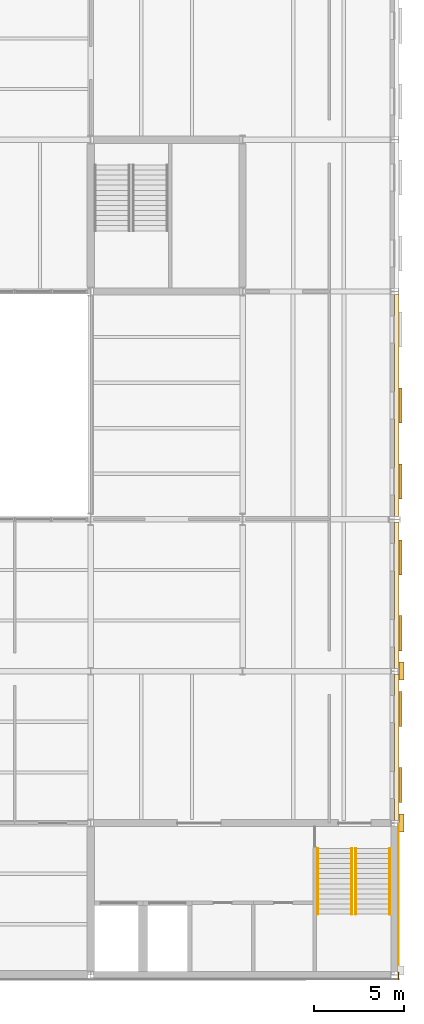
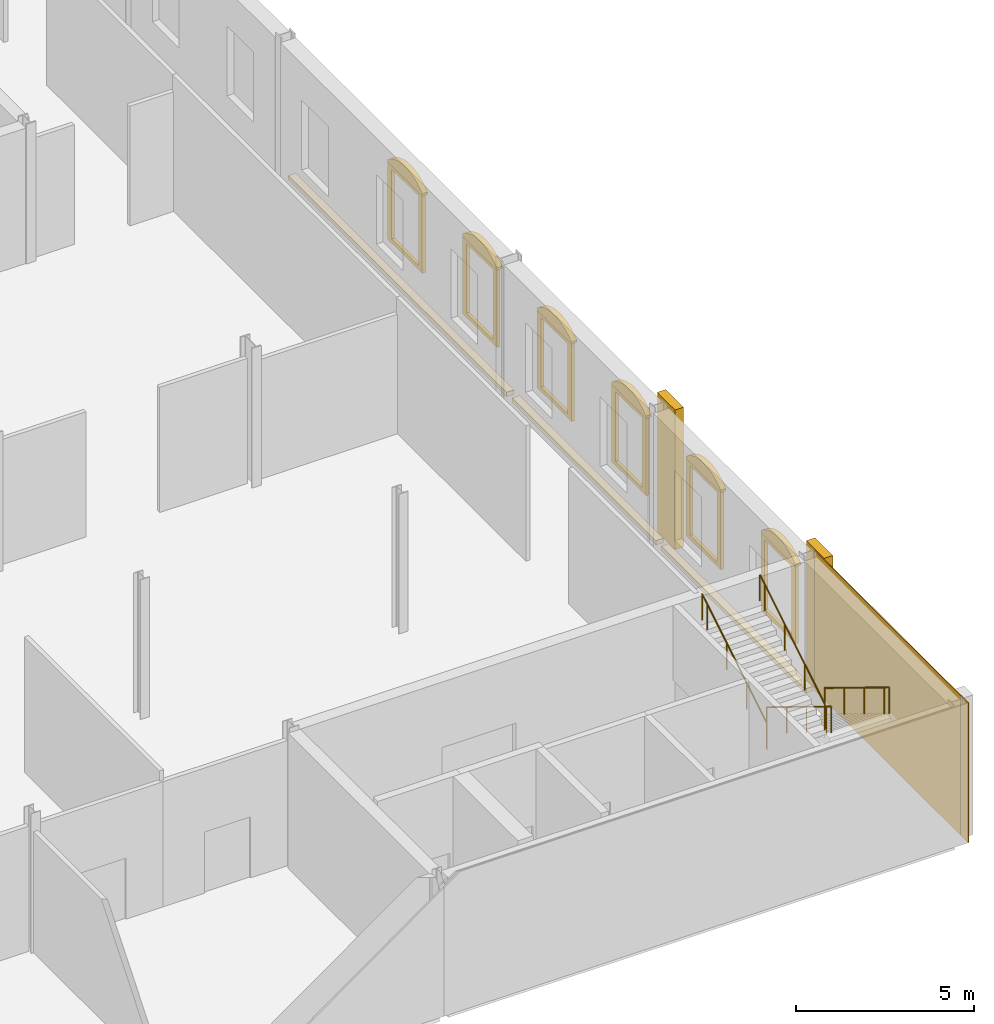
# One storey, part 49 of 57: 19 coverings, 4 railings.
"""IFC4 building model written with IfcOpenShell, lengths in metres."""

from ifc_helpers import new_model, si_unit, direction, frame, origin, origin_2d, place, context, subcontext, project, spatial, polyline, rectangle, circle, outline, extrude, material, layer, layer_set, type_object, element, save


model = new_model("IFC4")

# Units and contexts
model_context = context("Model", 3, precision=1e-05, world=origin(), true_north=direction((0.0, 1.0)))
body_context = subcontext(model_context, "Body", "Model", "MODEL_VIEW")
ifc_project = project(units=[si_unit("LENGTHUNIT", "METRE"), si_unit("AREAUNIT", "SQUARE_METRE"), si_unit("VOLUMEUNIT", "CUBIC_METRE"), si_unit("PLANEANGLEUNIT", "RADIAN"), si_unit("MASSUNIT", "GRAM", prefix="KILO")], contexts=[model_context])

# Site, building, storey
site_placement = place(None, origin())
site = spatial("IfcSite", under=ifc_project, at=site_placement, CompositionType="ELEMENT")
building_placement = place(site_placement, origin())
building = spatial("IfcBuilding", under=site, at=building_placement, Name="Galleria Vessillo Department Store", CompositionType="ELEMENT")
storey_placement = place(building_placement, frame((0.0, 0.0, 21.0)))
storey = spatial("IfcBuildingStorey", under=building, at=storey_placement, Name="L04", CompositionType="ELEMENT", Elevation=21.0)

# Coverings
ifc_material_1 = material(Name="Lime plaster (intonaco) ochre")
ifc_layer_1 = layer(ifc_material_1, 0.030029296875)
ifc_layer_set_1 = layer_set([ifc_layer_1], Name="Lime plaster (intonaco) ochre")
covering_type_1 = type_object("IfcCoveringType", Name="Lime plaster render 30 mm", PredefinedType="CLADDING", material=ifc_layer_set_1)
covering_1_placement = place(storey_placement, frame((117.81494140625, -0.06494140625, 0.0), z_axis=(0.0, 0.0, 1.0), x_axis=(1.0, 0.0, 0.0)))
element("IfcCovering", 1, at=covering_1_placement, inside=storey, type_object=covering_type_1, Name="Corner cladding L04 y=0 east face", PredefinedType="CLADDING", context=body_context, shape_type="SweptSolid", body=[
    extrude(rectangle(XDim=0.030029296875, YDim=0.429931640625, at=origin_2d()), origin(), (0.0, 0.0, 1.0), 4.800048828125),
])
ifc_material_2 = material(Name="Botticino limestone ashlar", Category="masonry")
ifc_layer_2 = layer(ifc_material_2, 0.280029296875)
ifc_layer_set_2 = layer_set([ifc_layer_2], Name="Botticino limestone ashlar")
covering_type_2 = type_object("IfcCoveringType", Name="Limestone giant pilaster 1000 x 280", PredefinedType="CLADDING", material=ifc_layer_set_2)
for number, where, z_axis, x_axis, name in (
    (2, (117.989990234375, 8.39990234375, 0.0), (0.0, 0.0, 1.0), (1.0, 0.0, 0.0), "Giant pilaster E L04 y=8.4"),
    (3, (117.989990234375, 16.800048828125, 0.0), (0.0, 0.0, 1.0), (1.0, 0.0, 0.0), "Giant pilaster E L04 y=16.8"),
):
    element("IfcCovering", number, at=place(storey_placement, frame(where, z_axis=z_axis, x_axis=x_axis)), inside=storey, type_object=covering_type_2, Name=name, PredefinedType="CLADDING", context=body_context, shape_type="SweptSolid", body=[
        extrude(rectangle(XDim=0.280029296875, YDim=1.0, at=origin_2d()), origin(), (0.0, 0.0, 1.0), 4.800048828125),
    ])
ifc_material_3 = material(Name="Botticino limestone ashlar", Category="masonry")
ifc_layer_3 = layer(ifc_material_3, 0.179931640625)
ifc_layer_set_3 = layer_set([ifc_layer_3], Name="Botticino limestone ashlar")
covering_type_3 = type_object("IfcCoveringType", Name="Limestone segmental window pediment 180 mm", PredefinedType="USERDEFINED", material=ifc_layer_set_3)
covering_2_placement = place(storey_placement, frame((117.85009765625, 0.0, 1.0), z_axis=(1.0, 0.0, 0.0), x_axis=(0.0, 1.0, 0.0)))
element("IfcCovering", 4, at=covering_2_placement, inside=storey, type_object=covering_type_3, Name="Segmental pediment W054", ObjectType="SEGMENTAL WINDOW PEDIMENT", PredefinedType="USERDEFINED", context=body_context, shape_type="SweptSolid", body=[
    extrude(outline(polyline([(9.530029296875, 2.52001953125), (11.469970703125, 2.52001953125), (11.469970703125, 2.60009765625), (11.308349609375, 2.717041015625), (11.146728515625, 2.805419921875), (10.985107421875, 2.87060546875), (10.8232421875, 2.915283203125), (10.66162109375, 2.94140625), (10.5, 2.949951171875), (10.33837890625, 2.94140625), (10.1767578125, 2.915283203125), (10.014892578125, 2.87060546875), (9.853271484375, 2.805419921875), (9.691650390625, 2.717041015625), (9.530029296875, 2.60009765625), (9.530029296875, 2.52001953125)])), origin(), (0.0, 0.0, 1.0), 0.179931640625),
])
covering_3_placement = place(storey_placement, frame((117.85009765625, 0.0, 1.0), z_axis=(1.0, 0.0, 0.0), x_axis=(0.0, 1.0, 0.0)))
element("IfcCovering", 5, at=covering_3_placement, inside=storey, type_object=covering_type_3, Name="Segmental pediment W055", ObjectType="SEGMENTAL WINDOW PEDIMENT", PredefinedType="USERDEFINED", context=body_context, shape_type="SweptSolid", body=[
    extrude(outline(polyline([(13.72998046875, 2.52001953125), (15.669921875, 2.52001953125), (15.669921875, 2.60009765625), (15.50830078125, 2.717041015625), (15.3466796875, 2.805419921875), (15.18505859375, 2.87060546875), (15.023193359375, 2.915283203125), (14.861572265625, 2.94140625), (14.699951171875, 2.949951171875), (14.538330078125, 2.94140625), (14.376708984375, 2.915283203125), (14.215087890625, 2.87060546875), (14.05322265625, 2.805419921875), (13.8916015625, 2.717041015625), (13.72998046875, 2.60009765625), (13.72998046875, 2.52001953125)])), origin(), (0.0, 0.0, 1.0), 0.179931640625),
])
covering_4_placement = place(storey_placement, frame((117.85009765625, 0.0, 1.0), z_axis=(1.0, 0.0, 0.0), x_axis=(0.0, 1.0, 0.0)))
element("IfcCovering", 6, at=covering_4_placement, inside=storey, type_object=covering_type_3, Name="Segmental pediment W056", ObjectType="SEGMENTAL WINDOW PEDIMENT", PredefinedType="USERDEFINED", context=body_context, shape_type="SweptSolid", body=[
    extrude(outline(polyline([(17.929931640625, 2.52001953125), (19.869873046875, 2.52001953125), (19.869873046875, 2.60009765625), (19.708251953125, 2.717041015625), (19.546630859375, 2.805419921875), (19.385009765625, 2.87060546875), (19.22314453125, 2.915283203125), (19.0615234375, 2.94140625), (18.89990234375, 2.949951171875), (18.73828125, 2.94140625), (18.57666015625, 2.915283203125), (18.414794921875, 2.87060546875), (18.253173828125, 2.805419921875), (18.091552734375, 2.717041015625), (17.929931640625, 2.60009765625), (17.929931640625, 2.52001953125)])), origin(), (0.0, 0.0, 1.0), 0.179931640625),
])
covering_5_placement = place(storey_placement, frame((117.85009765625, 0.0, 1.0), z_axis=(1.0, 0.0, 0.0), x_axis=(0.0, 1.0, 0.0)))
element("IfcCovering", 7, at=covering_5_placement, inside=storey, type_object=covering_type_3, Name="Segmental pediment W057", ObjectType="SEGMENTAL WINDOW PEDIMENT", PredefinedType="USERDEFINED", context=body_context, shape_type="SweptSolid", body=[
    extrude(outline(polyline([(22.130126953125, 2.52001953125), (24.070068359375, 2.52001953125), (24.070068359375, 2.60009765625), (23.908447265625, 2.717041015625), (23.746826171875, 2.805419921875), (23.585205078125, 2.87060546875), (23.42333984375, 2.915283203125), (23.26171875, 2.94140625), (23.10009765625, 2.949951171875), (22.9384765625, 2.94140625), (22.77685546875, 2.915283203125), (22.614990234375, 2.87060546875), (22.453369140625, 2.805419921875), (22.291748046875, 2.717041015625), (22.130126953125, 2.60009765625), (22.130126953125, 2.52001953125)])), origin(), (0.0, 0.0, 1.0), 0.179931640625),
])
covering_6_placement = place(storey_placement, frame((117.85009765625, 0.0, 1.0), z_axis=(1.0, 0.0, 0.0), x_axis=(0.0, 1.0, 0.0)))
element("IfcCovering", 8, at=covering_6_placement, inside=storey, type_object=covering_type_3, Name="Segmental pediment W058", ObjectType="SEGMENTAL WINDOW PEDIMENT", PredefinedType="USERDEFINED", context=body_context, shape_type="SweptSolid", body=[
    extrude(outline(polyline([(26.330078125, 2.52001953125), (28.27001953125, 2.52001953125), (28.27001953125, 2.60009765625), (28.1083984375, 2.717041015625), (27.94677734375, 2.805419921875), (27.784912109375, 2.87060546875), (27.623291015625, 2.915283203125), (27.461669921875, 2.94140625), (27.300048828125, 2.949951171875), (27.138427734375, 2.94140625), (26.976806640625, 2.915283203125), (26.81494140625, 2.87060546875), (26.6533203125, 2.805419921875), (26.49169921875, 2.717041015625), (26.330078125, 2.60009765625), (26.330078125, 2.52001953125)])), origin(), (0.0, 0.0, 1.0), 0.179931640625),
])
covering_7_placement = place(storey_placement, frame((117.85009765625, 0.0, 1.0), z_axis=(1.0, 0.0, 0.0), x_axis=(0.0, 1.0, 0.0)))
element("IfcCovering", 9, at=covering_7_placement, inside=storey, type_object=covering_type_3, Name="Segmental pediment W059", ObjectType="SEGMENTAL WINDOW PEDIMENT", PredefinedType="USERDEFINED", context=body_context, shape_type="SweptSolid", body=[
    extrude(outline(polyline([(30.530029296875, 2.52001953125), (32.469970703125, 2.52001953125), (32.469970703125, 2.60009765625), (32.308349609375, 2.717041015625), (32.146728515625, 2.805419921875), (31.985107421875, 2.87060546875), (31.8232421875, 2.915283203125), (31.66162109375, 2.94140625), (31.5, 2.949951171875), (31.33837890625, 2.94140625), (31.1767578125, 2.915283203125), (31.014892578125, 2.87060546875), (30.853271484375, 2.805419921875), (30.691650390625, 2.717041015625), (30.530029296875, 2.60009765625), (30.530029296875, 2.52001953125)])), origin(), (0.0, 0.0, 1.0), 0.179931640625),
])
ifc_material_4 = material(Name="Botticino limestone ashlar", Category="masonry")
ifc_layer_4 = layer(ifc_material_4, 0.14990234375)
ifc_layer_set_4 = layer_set([ifc_layer_4], Name="Botticino limestone ashlar")
covering_type_4 = type_object("IfcCoveringType", Name="Limestone slab-edge fascia 150 mm", PredefinedType="CLADDING", material=ifc_layer_set_4)
covering_8_placement = place(storey_placement, frame((117.72509765625, 12.60009765625, -0.14990234375), z_axis=(0.0, 0.0, 1.0), x_axis=(1.0, 0.0, 0.0)))
element("IfcCovering", 10, at=covering_8_placement, inside=storey, type_object=covering_type_4, Name="Slab-edge fascia SE-L03-01", PredefinedType="CLADDING", context=body_context, shape_type="SweptSolid", body=[
    extrude(rectangle(XDim=0.25, YDim=8.10009765625, at=origin_2d()), origin(), (0.0, 0.0, 1.0), 0.14990234375),
])
covering_9_placement = place(storey_placement, frame((117.72509765625, 20.998779296875, -0.14990234375), z_axis=(0.0, 0.0, 1.0), x_axis=(1.0, 0.0, 0.0)))
element("IfcCovering", 11, at=covering_9_placement, inside=storey, type_object=covering_type_4, Name="Slab-edge fascia SE-L03-02", PredefinedType="CLADDING", context=body_context, shape_type="SweptSolid", body=[
    extrude(rectangle(XDim=0.25, YDim=8.097412109375, at=origin_2d()), origin(), (0.0, 0.0, 1.0), 0.14990234375),
])
covering_10_placement = place(storey_placement, frame((117.72509765625, 31.49951171875, -0.14990234375), z_axis=(0.0, 0.0, 1.0), x_axis=(1.0, 0.0, 0.0)))
element("IfcCovering", 12, at=covering_10_placement, inside=storey, type_object=covering_type_4, Name="Slab-edge fascia SE-L03-03", PredefinedType="CLADDING", context=body_context, shape_type="SweptSolid", body=[
    extrude(rectangle(XDim=0.25, YDim=12.294189453125, at=origin_2d()), origin(), (0.0, 0.0, 1.0), 0.14990234375),
])
ifc_material_5 = material(Name="Botticino limestone ashlar", Category="masonry")
ifc_layer_5 = layer(ifc_material_5, 0.030029296875)
ifc_layer_set_5 = layer_set([ifc_layer_5], Name="Botticino limestone ashlar")
covering_type_5 = type_object("IfcCoveringType", Name="Limestone wall cladding 30 mm", PredefinedType="CLADDING", material=ifc_layer_set_5)
covering_11_placement = place(storey_placement, frame((117.815185546875, 4.260009765625, 0.0), z_axis=(0.0, 0.0, 1.0), x_axis=(1.0, 0.0, 0.0)))
element("IfcCovering", 13, at=covering_11_placement, inside=storey, type_object=covering_type_5, Name="Wall cladding S-CW-GC-EAST-L04", PredefinedType="CLADDING", context=body_context, shape_type="SweptSolid", body=[
    extrude(rectangle(XDim=0.030029296875, YDim=8.219970703125, at=origin_2d()), origin(), (0.0, 0.0, 1.0), 4.800048828125),
])
ifc_material_6 = material(Name="Botticino limestone ashlar", Category="masonry")
ifc_layer_6 = layer(ifc_material_6, 0.10009765625)
ifc_layer_set_6 = layer_set([ifc_layer_6], Name="Botticino limestone ashlar")
covering_type_6 = type_object("IfcCoveringType", Name="Limestone window surround 100 mm", PredefinedType="CLADDING", material=ifc_layer_set_6)
covering_12_placement = place(storey_placement, frame((117.85009765625, 0.0, 1.0), z_axis=(1.0, 0.0, 0.0), x_axis=(0.0, 1.0, 0.0)))
element("IfcCovering", 14, at=covering_12_placement, inside=storey, type_object=covering_type_6, Name="Window surround W054", PredefinedType="CLADDING", context=body_context, shape_type="SweptSolid", body=[
    extrude(outline(polyline([(9.530029296875, -0.139892578125), (11.469970703125, -0.139892578125), (11.469970703125, 2.52001953125), (9.530029296875, 2.52001953125), (9.530029296875, -0.139892578125)]), holes=[polyline([(9.75, 0.0), (11.25, 0.0), (11.25, 2.39990234375), (9.75, 2.39990234375), (9.75, 0.0)])]), origin(), (0.0, 0.0, 1.0), 0.10009765625),
])
covering_13_placement = place(storey_placement, frame((117.85009765625, 0.0, 1.0), z_axis=(1.0, 0.0, 0.0), x_axis=(0.0, 1.0, 0.0)))
element("IfcCovering", 15, at=covering_13_placement, inside=storey, type_object=covering_type_6, Name="Window surround W055", PredefinedType="CLADDING", context=body_context, shape_type="SweptSolid", body=[
    extrude(outline(polyline([(13.72998046875, -0.139892578125), (15.669921875, -0.139892578125), (15.669921875, 2.52001953125), (13.72998046875, 2.52001953125), (13.72998046875, -0.139892578125)]), holes=[polyline([(13.949951171875, 0.0), (15.449951171875, 0.0), (15.449951171875, 2.39990234375), (13.949951171875, 2.39990234375), (13.949951171875, 0.0)])]), origin(), (0.0, 0.0, 1.0), 0.10009765625),
])
covering_14_placement = place(storey_placement, frame((117.85009765625, 0.0, 1.0), z_axis=(1.0, 0.0, 0.0), x_axis=(0.0, 1.0, 0.0)))
element("IfcCovering", 16, at=covering_14_placement, inside=storey, type_object=covering_type_6, Name="Window surround W056", PredefinedType="CLADDING", context=body_context, shape_type="SweptSolid", body=[
    extrude(outline(polyline([(17.929931640625, -0.139892578125), (19.869873046875, -0.139892578125), (19.869873046875, 2.52001953125), (17.929931640625, 2.52001953125), (17.929931640625, -0.139892578125)]), holes=[polyline([(18.14990234375, 0.0), (19.64990234375, 0.0), (19.64990234375, 2.39990234375), (18.14990234375, 2.39990234375), (18.14990234375, 0.0)])]), origin(), (0.0, 0.0, 1.0), 0.10009765625),
])
covering_15_placement = place(storey_placement, frame((117.85009765625, 0.0, 1.0), z_axis=(1.0, 0.0, 0.0), x_axis=(0.0, 1.0, 0.0)))
element("IfcCovering", 17, at=covering_15_placement, inside=storey, type_object=covering_type_6, Name="Window surround W057", PredefinedType="CLADDING", context=body_context, shape_type="SweptSolid", body=[
    extrude(outline(polyline([(22.130126953125, -0.139892578125), (24.070068359375, -0.139892578125), (24.070068359375, 2.52001953125), (22.130126953125, 2.52001953125), (22.130126953125, -0.139892578125)]), holes=[polyline([(22.35009765625, 0.0), (23.85009765625, 0.0), (23.85009765625, 2.39990234375), (22.35009765625, 2.39990234375), (22.35009765625, 0.0)])]), origin(), (0.0, 0.0, 1.0), 0.10009765625),
])
covering_16_placement = place(storey_placement, frame((117.85009765625, 0.0, 1.0), z_axis=(1.0, 0.0, 0.0), x_axis=(0.0, 1.0, 0.0)))
element("IfcCovering", 18, at=covering_16_placement, inside=storey, type_object=covering_type_6, Name="Window surround W058", PredefinedType="CLADDING", context=body_context, shape_type="SweptSolid", body=[
    extrude(outline(polyline([(26.330078125, -0.139892578125), (28.27001953125, -0.139892578125), (28.27001953125, 2.52001953125), (26.330078125, 2.52001953125), (26.330078125, -0.139892578125)]), holes=[polyline([(26.550048828125, 0.0), (28.050048828125, 0.0), (28.050048828125, 2.39990234375), (26.550048828125, 2.39990234375), (26.550048828125, 0.0)])]), origin(), (0.0, 0.0, 1.0), 0.10009765625),
])
covering_17_placement = place(storey_placement, frame((117.85009765625, 0.0, 1.0), z_axis=(1.0, 0.0, 0.0), x_axis=(0.0, 1.0, 0.0)))
element("IfcCovering", 19, at=covering_17_placement, inside=storey, type_object=covering_type_6, Name="Window surround W059", PredefinedType="CLADDING", context=body_context, shape_type="SweptSolid", body=[
    extrude(outline(polyline([(30.530029296875, -0.139892578125), (32.469970703125, -0.139892578125), (32.469970703125, 2.52001953125), (30.530029296875, 2.52001953125), (30.530029296875, -0.139892578125)]), holes=[polyline([(30.75, 0.0), (32.25, 0.0), (32.25, 2.39990234375), (30.75, 2.39990234375), (30.75, 0.0)])]), origin(), (0.0, 0.0, 1.0), 0.10009765625),
])

# Railings
ifc_material_7 = material(Name="Stainless steel tube", Category="steel")
railing_type = type_object("IfcRailingType", Name="Stair handrail steel tube 48 mm", PredefinedType="HANDRAIL", material=ifc_material_7)
for number, where, name in (
    (20, (117.33984375, 7.0, 0.17138671875), "Handrail ST7 L04 flight 1A"),
    (21, (115.4599609375, 7.0, 0.17138671875), "Handrail ST7 L04 flight 1B"),
):
    element("IfcRailing", number, at=place(storey_placement, frame(where)), inside=storey, type_object=railing_type, Name=name, PredefinedType="HANDRAIL", context=body_context, shape_type="SweptSolid", body=[
        extrude(circle(Radius=0.02392578125, at=origin_2d()), frame((0.0, 0.0, 0.89599609375), z_axis=(0.0, -0.852849614702, 0.52215661894), x_axis=(1.0, 0.0, 0.0)), (0.0, 0.0, 1.0), 1.3134765625),
        extrude(circle(Radius=0.02392578125, at=origin_2d()), frame((0.0, -1.1201171875, 1.58154296875), z_axis=(0.0, -0.852798921012, 0.522239409008), x_axis=(1.0, 0.0, 0.0)), (0.0, 0.0, 1.0), 1.313232421875),
        extrude(circle(Radius=0.02392578125, at=origin_2d()), frame((0.0, -2.239990234375, 2.267578125), z_axis=(0.0, -0.852932391421, 0.522021393877), x_axis=(1.0, 0.0, 0.0)), (0.0, 0.0, 1.0), 1.313232421875),
        extrude(circle(Radius=0.02392578125, at=origin_2d()), frame((0.0, -3.360107421875, 2.953125), z_axis=(0.0, -0.852729557261, 0.522352660731), x_axis=(1.0, 0.0, 0.0)), (0.0, 0.0, 1.0), 0.328125),
        extrude(circle(Radius=0.02099609375, at=origin_2d()), origin(), (0.0, 0.0, 1.0), 0.871826171875),
        extrude(circle(Radius=0.02099609375, at=origin_2d()), frame((0.0, -1.1201171875, 0.685791015625)), (0.0, 0.0, 1.0), 0.871826171875),
        extrude(circle(Radius=0.02099609375, at=origin_2d()), frame((0.0, -2.239990234375, 1.37158203125)), (0.0, 0.0, 1.0), 0.871826171875),
        extrude(circle(Radius=0.02099609375, at=origin_2d()), frame((0.0, -3.360107421875, 2.05712890625)), (0.0, 0.0, 1.0), 0.871826171875),
        extrude(circle(Radius=0.02099609375, at=origin_2d()), frame((0.0, -3.639892578125, 2.228515625)), (0.0, 0.0, 1.0), 0.871826171875),
    ])
for number, where, name in (
    (22, (113.360107421875, 3.360107421875, 2.5712890625), "Handrail ST7 L04 flight 2A"),
    (23, (115.239990234375, 3.360107421875, 2.5712890625), "Handrail ST7 L04 flight 2B"),
):
    element("IfcRailing", number, at=place(storey_placement, frame(where)), inside=storey, type_object=railing_type, Name=name, PredefinedType="HANDRAIL", context=body_context, shape_type="SweptSolid", body=[
        extrude(circle(Radius=0.02392578125, at=origin_2d()), frame((0.0, 0.0, 0.89599609375), z_axis=(0.0, 0.852849614702, 0.52215661894), x_axis=(-1.0, 0.0, 0.0)), (0.0, 0.0, 1.0), 1.3134765625),
        extrude(circle(Radius=0.02392578125, at=origin_2d()), frame((0.0, 1.1201171875, 1.58154296875), z_axis=(0.0, 0.852798921012, 0.522239409008), x_axis=(-1.0, 0.0, 0.0)), (0.0, 0.0, 1.0), 1.313232421875),
        extrude(circle(Radius=0.02392578125, at=origin_2d()), frame((0.0, 2.239990234375, 2.267578125), z_axis=(0.0, 0.852932391421, 0.522021393877), x_axis=(-1.0, 0.0, 0.0)), (0.0, 0.0, 1.0), 1.313232421875),
        extrude(circle(Radius=0.02392578125, at=origin_2d()), frame((0.0, 3.360107421875, 2.953125), z_axis=(0.0, 0.852729557261, 0.522352660731), x_axis=(-1.0, 0.0, 0.0)), (0.0, 0.0, 1.0), 0.328125),
        extrude(circle(Radius=0.02099609375, at=origin_2d()), origin(), (0.0, 0.0, 1.0), 0.871826171875),
        extrude(circle(Radius=0.02099609375, at=origin_2d()), frame((0.0, 1.1201171875, 0.685791015625)), (0.0, 0.0, 1.0), 0.871826171875),
        extrude(circle(Radius=0.02099609375, at=origin_2d()), frame((0.0, 2.239990234375, 1.37158203125)), (0.0, 0.0, 1.0), 0.871826171875),
        extrude(circle(Radius=0.02099609375, at=origin_2d()), frame((0.0, 3.360107421875, 2.05712890625)), (0.0, 0.0, 1.0), 0.871826171875),
        extrude(circle(Radius=0.02099609375, at=origin_2d()), frame((0.0, 3.639892578125, 2.228515625)), (0.0, 0.0, 1.0), 0.871826171875),
    ])

save(model, "model.ifc")
